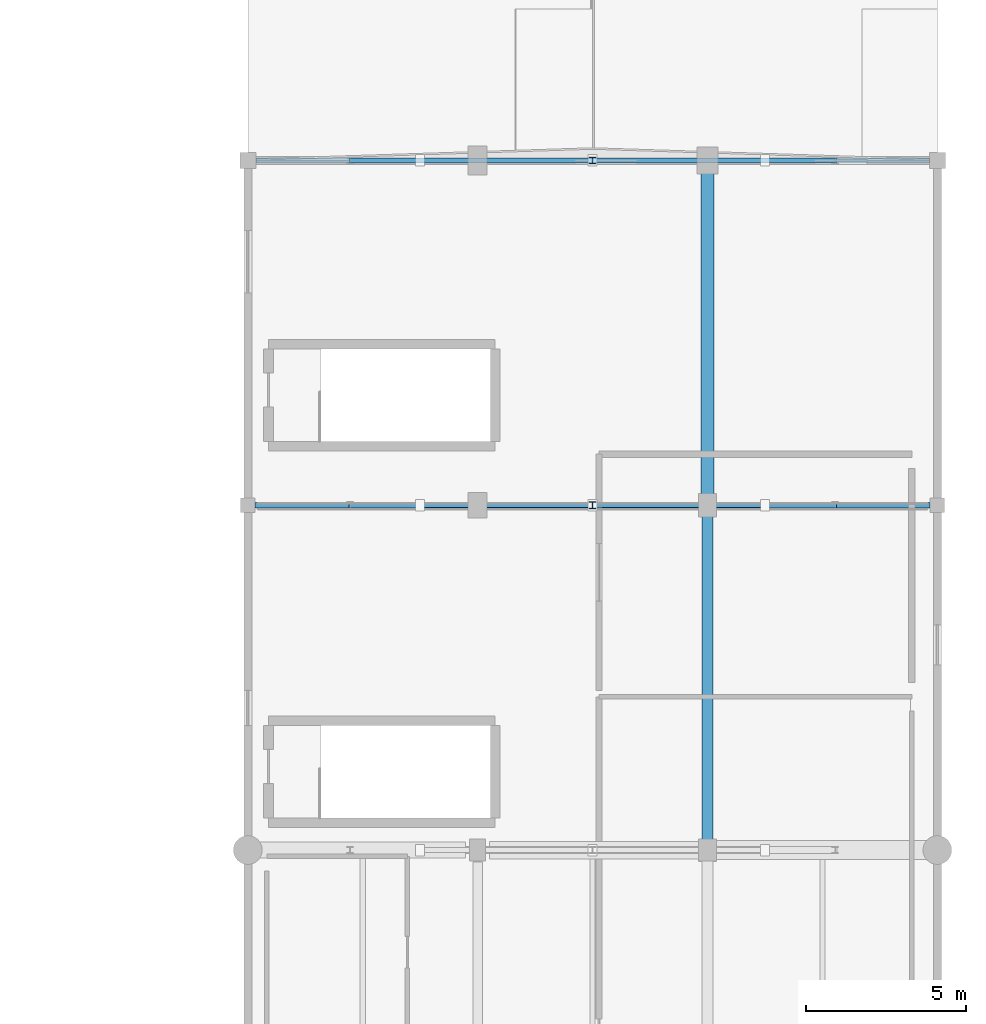
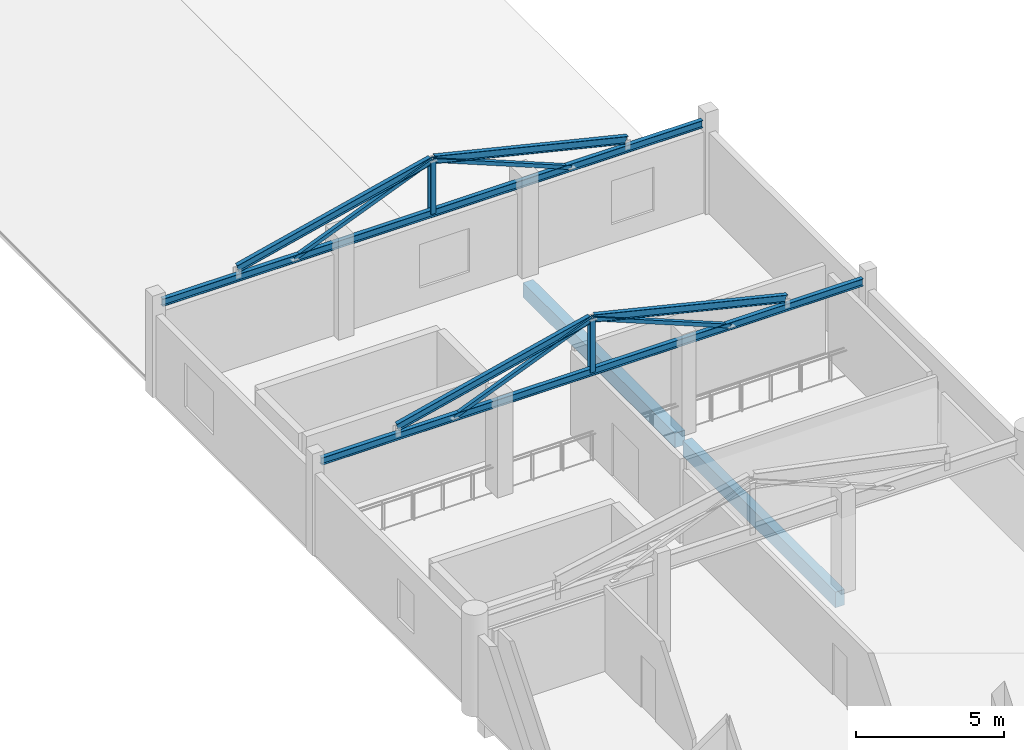
# One storey, part 16 of 41: 8 beams, 6 members.
"""IFC4 building model written with IfcOpenShell, lengths in metres."""

from ifc_helpers import new_model, si_unit, direction, frame, origin, origin_2d, place, context, subcontext, project, spatial, rectangle, hollow_rectangle, i_section, extrude, material, material_profile, profile_set, type_object, element, save


model = new_model("IFC4")

# Units and contexts
model_context = context("Model", 3, precision=1e-05, world=origin(), true_north=direction((0.0, 1.0)))
body_context = subcontext(model_context, "Body", "Model", "MODEL_VIEW")
ifc_project = project(units=[si_unit("LENGTHUNIT", "METRE"), si_unit("AREAUNIT", "SQUARE_METRE"), si_unit("VOLUMEUNIT", "CUBIC_METRE"), si_unit("PLANEANGLEUNIT", "RADIAN"), si_unit("MASSUNIT", "GRAM", prefix="KILO")], contexts=[model_context])

# Site, building, storey
site_placement = place(None, origin())
site = spatial("IfcSite", under=ifc_project, at=site_placement, CompositionType="ELEMENT")
building_placement = place(site_placement, origin())
building = spatial("IfcBuilding", under=site, at=building_placement, Name="Solanera Park Tramway Depot", CompositionType="ELEMENT")
storey_placement = place(building_placement, frame((0.0, 0.0, 13.199951171875)))
storey = spatial("IfcBuildingStorey", under=building, at=storey_placement, Name="L03", CompositionType="ELEMENT", Elevation=13.199951171875)

# Beams
ifc_material_1 = material(Name="Concrete N40 (C40/50)", Category="concrete")
ifc_material_profile_1 = material_profile(ifc_material_1, rectangle(XDim=0.35009765625, YDim=0.64990234375, at=origin_2d()), Name="RCB 350x650")
ifc_profile_set_1 = profile_set([ifc_material_profile_1], Name="Concrete N40 (C40/50)")
beam_type_1 = type_object("IfcBeamType", Name="RC Floor Beam RCB 350x650", PredefinedType="BEAM", material=ifc_profile_set_1)
beam_1_placement = place(storey_placement, frame((180.0, 43.425048828125, -0.60400390625), z_axis=(0.0, 1.0, 0.0), x_axis=(-1.0, 0.0, 0.0)))
element("IfcBeam", 1, at=beam_1_placement, inside=storey, type_object=beam_type_1, Name="L03 Primary Y-Girder RCB 350x650 #0248", PredefinedType="BEAM", context=body_context, shape_type="SweptSolid", body=[
    extrude(rectangle(XDim=0.35009765625, YDim=0.64990234375, at=origin_2d()), origin(), (0.0, 0.0, 1.0), 10.324951171875),
])
ifc_material_2 = material(Name="Concrete N40 (C40/50)", Category="concrete")
ifc_material_profile_2 = material_profile(ifc_material_2, rectangle(XDim=0.39990234375, YDim=0.60009765625, at=origin_2d()), Name="RCB 400x600")
ifc_profile_set_2 = profile_set([ifc_material_profile_2], Name="Concrete N40 (C40/50)")
beam_type_2 = type_object("IfcBeamType", Name="RC Floor Beam RCB 400x600", PredefinedType="BEAM", material=ifc_profile_set_2)
beam_2_placement = place(storey_placement, frame((180.0, 54.25, -0.578857421875), z_axis=(0.0, 1.0, 0.0), x_axis=(-1.0, 0.0, 0.0)))
element("IfcBeam", 2, at=beam_2_placement, inside=storey, type_object=beam_type_2, Name="L03 Primary Y-Girder RCB 400x600 #0249", PredefinedType="BEAM", context=body_context, shape_type="SweptSolid", body=[
    extrude(rectangle(XDim=0.39990234375, YDim=0.60009765625, at=origin_2d()), origin(), (0.0, 0.0, 1.0), 10.27490234375),
])

# Members
ifc_material_3 = material(Name="Steel AS/NZS 3679.1 Grade 350", Category="steel")
ifc_material_profile_3 = material_profile(ifc_material_3, i_section(OverallWidth=0.205078125, OverallDepth=0.209716796875, WebThickness=0.00927734375, FlangeThickness=0.01416015625, at=origin_2d()), Name="200UC59.5")
ifc_profile_set_3 = profile_set([ifc_material_profile_3], Name="Steel AS/NZS 3679.1 Grade 350")
member_type_1 = type_object("IfcMemberType", Name="Roof Gantry Compression Strut 200UC59.5", PredefinedType="STRUT", material=ifc_profile_set_3)
for number, where, z_axis, x_axis, name in (
    (3, (176.39990234375, 54.0, 3.648193359375), (0.0, 0.0, 1.0), (1.0, 0.0, 0.0), "Hip ROOF TRUSS King Post #0142"),
    (4, (176.39990234375, 64.800048828125, 3.646484375), (0.0, 0.0, 1.0), (1.0, 0.0, 0.0), "Hip ROOF TRUSS King Post #0145"),
):
    element("IfcMember", number, at=place(storey_placement, frame(where, z_axis=z_axis, x_axis=x_axis)), inside=storey, type_object=member_type_1, Name=name, PredefinedType="STRUT", context=body_context, shape_type="SweptSolid", body=[
        extrude(i_section(OverallWidth=0.205078125, OverallDepth=0.209716796875, WebThickness=0.00927734375, FlangeThickness=0.01416015625, at=origin_2d()), origin(), (0.0, 0.0, 1.0), 2.187255859375),
    ])

# Beams
ifc_material_4 = material(Name="Steel AS/NZS 3679.1 Grade 350", Category="steel")
ifc_material_profile_4 = material_profile(ifc_material_4, i_section(OverallWidth=0.1650390625, OverallDepth=0.3037109375, WebThickness=0.006103515625, FlangeThickness=0.01025390625, at=origin_2d()), Name="310UB40.4")
ifc_profile_set_4 = profile_set([ifc_material_profile_4], Name="Steel AS/NZS 3679.1 Grade 350")
beam_type_3 = type_object("IfcBeamType", Name="Steel Beam 310UB40.4", PredefinedType="BEAM", material=ifc_profile_set_4)
beam_3_placement = place(storey_placement, frame((165.824951171875, 54.0, 3.648193359375), z_axis=(1.0, 0.0, 0.0), x_axis=(0.0, 1.0, 0.0)))
element("IfcBeam", 5, at=beam_3_placement, inside=storey, type_object=beam_type_3, Name="L03 Hip ROOF TRUSS Tie 310UB40.4 #1080", PredefinedType="BEAM", context=body_context, shape_type="SweptSolid", body=[
    extrude(i_section(OverallWidth=0.1650390625, OverallDepth=0.3037109375, WebThickness=0.006103515625, FlangeThickness=0.01025390625, at=origin_2d()), origin(), (0.0, 0.0, 1.0), 21.150146484375),
])
for number, where, z_axis, x_axis, name in (
    (6, (168.800048828125, 54.0, 4.011962890625), (0.971979885496, 0.0, 0.235064038491), (0.0, 1.0, 0.0), "L03 Hip ROOF TRUSS Rafter 310UB40.4 #1081"),
    (7, (176.4599609375, 54.0, 5.83544921875), (0.971979885496, 0.0, -0.235064038491), (0.0, 1.0, 0.0), "L03 Hip ROOF TRUSS Rafter 310UB40.4 #1082"),
):
    element("IfcBeam", number, at=place(storey_placement, frame(where, z_axis=z_axis, x_axis=x_axis)), inside=storey, type_object=beam_type_3, Name=name, PredefinedType="BEAM", context=body_context, shape_type="SweptSolid", body=[
        extrude(i_section(OverallWidth=0.1650390625, OverallDepth=0.3037109375, WebThickness=0.006103515625, FlangeThickness=0.01025390625, at=origin_2d()), origin(), (0.0, 0.0, 1.0), 7.75732421875),
    ])
ifc_material_5 = material(Name="Steel AS/NZS 3679.1 Grade 350", Category="steel")
ifc_material_profile_5 = material_profile(ifc_material_5, i_section(OverallWidth=0.166015625, OverallDepth=0.30712890625, WebThickness=0.006591796875, FlangeThickness=0.01171875, at=origin_2d()), Name="310UB46.2")
ifc_profile_set_5 = profile_set([ifc_material_profile_5], Name="Steel AS/NZS 3679.1 Grade 350")
beam_type_4 = type_object("IfcBeamType", Name="Steel Beam 310UB46.2", PredefinedType="BEAM", material=ifc_profile_set_5)
beam_4_placement = place(storey_placement, frame((165.85009765625, 64.800048828125, 3.646484375), z_axis=(1.0, 0.0, 0.0), x_axis=(0.0, 1.0, 0.0)))
element("IfcBeam", 8, at=beam_4_placement, inside=storey, type_object=beam_type_4, Name="L03 Hip ROOF TRUSS Tie 310UB46.2 #1083", PredefinedType="BEAM", context=body_context, shape_type="SweptSolid", body=[
    extrude(i_section(OverallWidth=0.166015625, OverallDepth=0.30712890625, WebThickness=0.006591796875, FlangeThickness=0.01171875, at=origin_2d()), origin(), (0.0, 0.0, 1.0), 21.099853515625),
])
for number, where, z_axis, x_axis, name in (
    (9, (168.800048828125, 64.800048828125, 4.013671875), (0.972080475642, 0.0, 0.234647712275), (0.0, 1.0, 0.0), "L03 Hip ROOF TRUSS Rafter 310UB46.2 #1084"),
    (10, (176.4599609375, 64.800048828125, 5.833740234375), (0.972080475642, 0.0, -0.234647712275), (0.0, 1.0, 0.0), "L03 Hip ROOF TRUSS Rafter 310UB46.2 #1085"),
):
    element("IfcBeam", number, at=place(storey_placement, frame(where, z_axis=z_axis, x_axis=x_axis)), inside=storey, type_object=beam_type_4, Name=name, PredefinedType="BEAM", context=body_context, shape_type="SweptSolid", body=[
        extrude(i_section(OverallWidth=0.166015625, OverallDepth=0.30712890625, WebThickness=0.006591796875, FlangeThickness=0.01171875, at=origin_2d()), origin(), (0.0, 0.0, 1.0), 7.756591796875),
    ])

# Members
ifc_material_6 = material(Name="Steel AS/NZS 1163 Grade C350L0", Category="steel")
ifc_material_profile_6 = material_profile(ifc_material_6, hollow_rectangle(XDim=0.14990234375, YDim=0.14990234375, WallThickness=0.006103515625, at=origin_2d()), Name="150x150x6.0 SHS")
ifc_profile_set_6 = profile_set([ifc_material_profile_6], Name="Steel AS/NZS 1163 Grade C350L0")
member_type_2 = type_object("IfcMemberType", Name="Truss and Frame Brace 150x150x6.0 SHS", PredefinedType="BRACE", material=ifc_profile_set_6)
for number, where, z_axis, x_axis, name in (
    (11, (171.0, 54.0, 3.648193359375), (0.926852400932, 0.0, 0.375425927297), (0.0, 1.0, 0.0), "Hip ROOF TRUSS Web #0461"),
    (12, (181.800048828125, 54.0, 3.648193359375), (-0.926858306857, 0.0, 0.375411346405), (0.0, -1.0, 0.0), "Hip ROOF TRUSS Web #0462"),
    (13, (171.0, 64.800048828125, 3.646484375), (0.926852400932, 0.0, 0.375425927297), (0.0, 1.0, 0.0), "Hip ROOF TRUSS Web #0463"),
    (14, (181.800048828125, 64.800048828125, 3.646484375), (-0.926858306857, 0.0, 0.375411346405), (0.0, -1.0, 0.0), "Hip ROOF TRUSS Web #0464"),
):
    element("IfcMember", number, at=place(storey_placement, frame(where, z_axis=z_axis, x_axis=x_axis)), inside=storey, type_object=member_type_2, Name=name, PredefinedType="BRACE", context=body_context, shape_type="SweptSolid", body=[
        extrude(hollow_rectangle(XDim=0.14990234375, YDim=0.14990234375, WallThickness=0.006103515625, at=origin_2d()), origin(), (0.0, 0.0, 1.0), 5.826171875),
    ])

save(model, "model.ifc")
